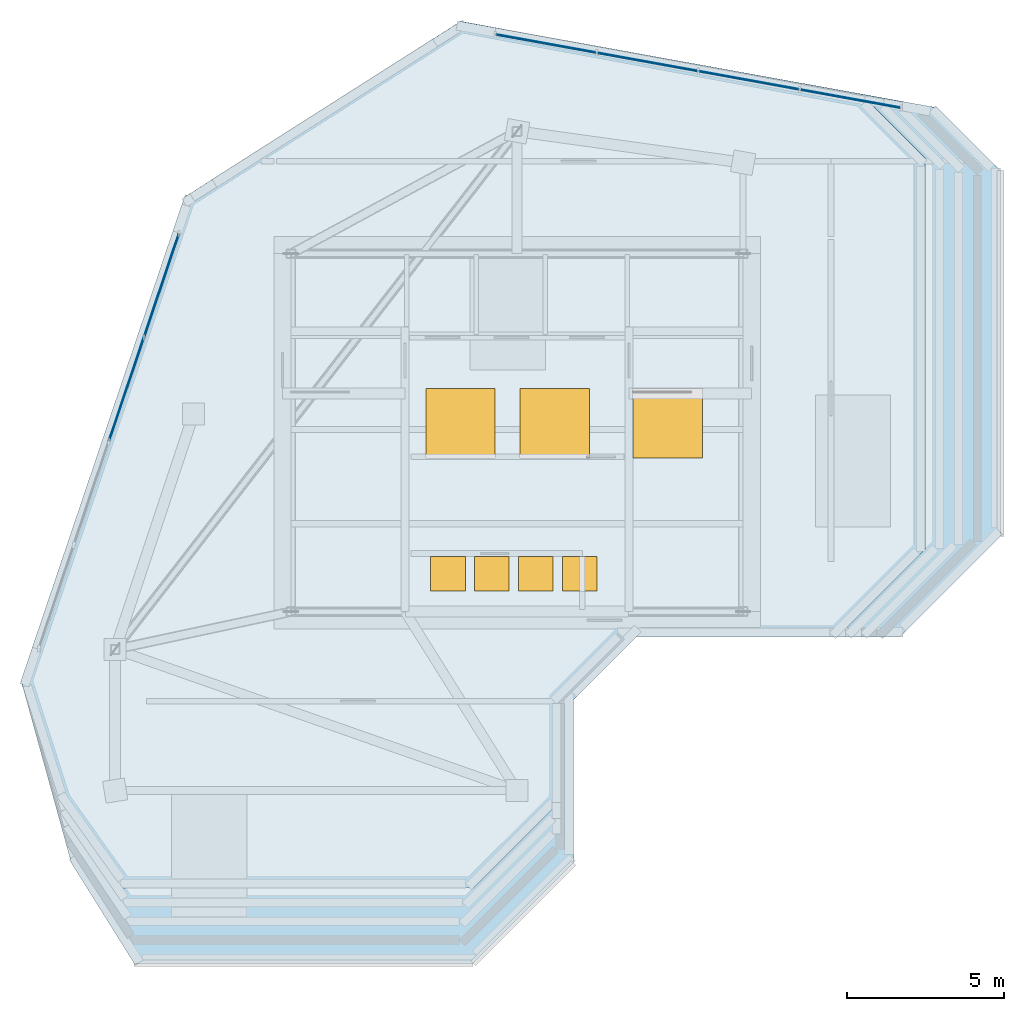
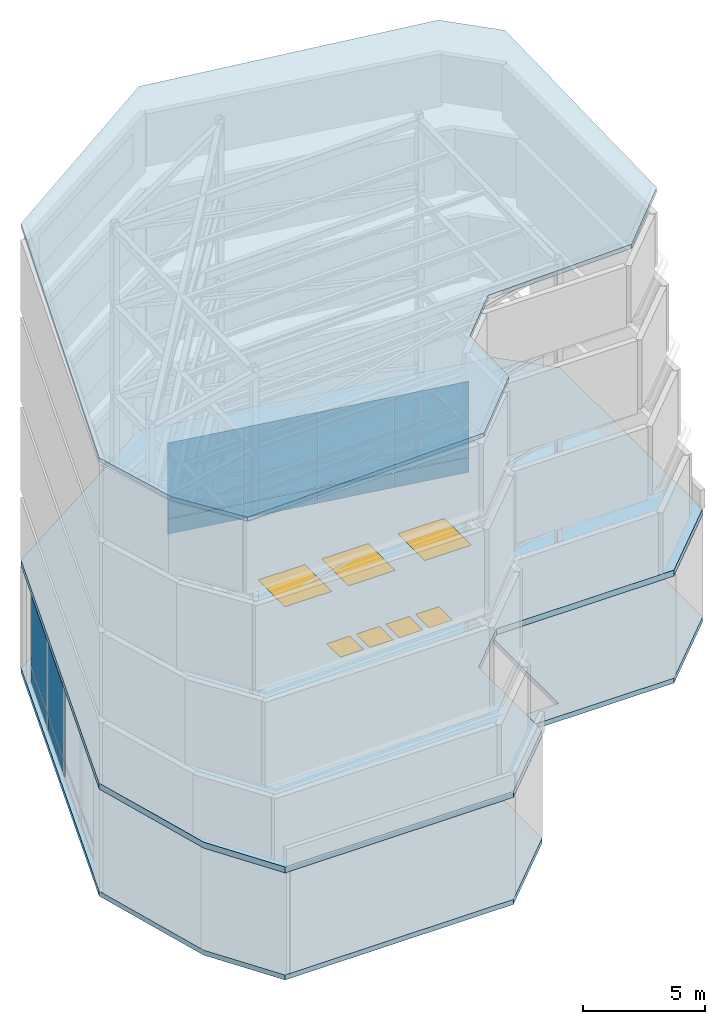
# One storey, part 4 of 9: 12 plates, 4 doors, 3 slabs, 3 windows, 7 openings, 2 elements without a shape of their own.
"""IFC4 building model written with IfcOpenShell, lengths in metres."""

import ifcopenshell
import ifcopenshell.guid

model = None  # the IFC model being written
_history = None  # IfcOwnerHistory: only IFC2X3 demands one
_inside = {}  # id of a spatial element -> (the spatial element, [elements in it])
_under = {}  # id of a project, library or spatial element -> (it, [spatial elements below it])
_declared = {}  # id of a project -> (the project, [libraries it declares])
_typed = {}  # id of a type object -> (the type object, [elements of that type])
_made_of = {}  # id of a material, layer set ... -> (it, [elements and type objects made of it])


def new_model(schema):
    """Start an empty IFC model of exactly this schema.

    Asked for "IFC4X3", IfcOpenShell would pick the latest addendum, in which some entities
    have other attributes; the version numbers below select the first issue.
    IFC2X3 requires an IfcOwnerHistory on every rooted entity: one is made here for all.
    """
    global model, _history
    if schema == "IFC4X3":
        model = ifcopenshell.file(schema_version=(4, 3, 0, 0))
    else:
        model = ifcopenshell.file(schema=schema)
    _inside.clear()
    _under.clear()
    _declared.clear()
    _typed.clear()
    _made_of.clear()
    _history = None
    if model.schema == "IFC2X3":
        org = make("IfcOrganization", Name="unknown")
        user = make(
            "IfcPersonAndOrganization",
            ThePerson=make("IfcPerson", FamilyName="unknown"),
            TheOrganization=org,
        )
        app = make(
            "IfcApplication",
            ApplicationDeveloper=org,
            Version="unknown",
            ApplicationFullName="unknown",
            ApplicationIdentifier="unknown",
        )
        _history = make(
            "IfcOwnerHistory",
            OwningUser=user,
            OwningApplication=app,
            ChangeAction="ADDED",
            CreationDate=0,
        )
    return model


def make(cls, **values):
    """One entity of the class cls with the attributes given. An attribute that is None is left unset."""
    return model.create_entity(
        cls, **{name: value for name, value in values.items() if value is not None}
    )


def rooted(cls, **values):
    """An entity with a GlobalId (a new one), such as an element, a storey or a relation."""
    return make(cls, GlobalId=ifcopenshell.guid.new(), OwnerHistory=_history, **values)


def si_unit(unit_type, name, prefix=None):
    """IfcSIUnit, for example si_unit("LENGTHUNIT", "METRE", prefix="MILLI")."""
    return make("IfcSIUnit", UnitType=unit_type, Prefix=prefix, Name=name)


def assignment(units):
    """IfcUnitAssignment: the units of a project."""
    return None if units is None else make("IfcUnitAssignment", Units=units)


def point(xyz):
    """IfcCartesianPoint."""
    return None if xyz is None else make("IfcCartesianPoint", Coordinates=xyz)


def direction(xyz):
    """IfcDirection."""
    return None if xyz is None else make("IfcDirection", DirectionRatios=xyz)


def frame(location, z_axis=None, x_axis=None):
    """IfcAxis2Placement3D, a coordinate frame: its origin and axes. An axis left out is left unset."""
    return make(
        "IfcAxis2Placement3D",
        Location=point(location),
        Axis=direction(z_axis),
        RefDirection=direction(x_axis),
    )


def frame_2d(location, x_axis=None):
    """IfcAxis2Placement2D, a coordinate frame in the plane: its origin and x axis."""
    return make(
        "IfcAxis2Placement2D", Location=point(location), RefDirection=direction(x_axis)
    )


def origin():
    """The frame at (0, 0, 0) with its axes left unset."""
    return frame((0.0, 0.0, 0.0))


def origin_2d():
    """The frame at (0, 0) in the plane with its x axis left unset."""
    return frame_2d((0.0, 0.0))


def place(relative_to, where):
    """IfcLocalPlacement: puts the frame where relative to a parent placement (None: the world)."""
    return make(
        "IfcLocalPlacement", PlacementRelTo=relative_to, RelativePlacement=where
    )


def context(
    kind, dimensions, precision=None, world=None, true_north=None, identifier=None
):
    """IfcGeometricRepresentationContext, for example the 3D "Model" context."""
    return make(
        "IfcGeometricRepresentationContext",
        ContextIdentifier=identifier,
        ContextType=kind,
        CoordinateSpaceDimension=dimensions,
        Precision=precision,
        WorldCoordinateSystem=world,
        TrueNorth=true_north,
    )


def subcontext(parent, identifier, kind, view, scale=None):
    """IfcGeometricRepresentationSubContext, for example "Body" below "Model"."""
    return make(
        "IfcGeometricRepresentationSubContext",
        ContextIdentifier=identifier,
        ContextType=kind,
        ParentContext=parent,
        TargetScale=scale,
        TargetView=view,
    )


def project(units=None, contexts=None):
    """IfcProject with its units and contexts."""
    return rooted(
        "IfcProject",
        Name="project",
        RepresentationContexts=contexts,
        UnitsInContext=assignment(units),
    )


def spatial(cls, under=None, at=None, **own):
    """A site, building, storey or space (cls), placed at a placement, below another one or the project."""
    s = rooted(cls, ObjectPlacement=at, **own)
    if under is not None:
        _under.setdefault(under.id(), (under, []))[1].append(s)
    return s


def polyline(points):
    """IfcPolyline through the points."""
    return make("IfcPolyline", Points=[point(p) for p in points])


def profile(cls, at=None, kind="AREA", **sizes):
    """A parametric profile (cls). Its sizes go by their IFC names, for example OverallWidth=200.0."""
    return make(cls, ProfileType=kind, Position=at, **sizes)


def rectangle(**sizes):
    """IfcRectangleProfileDef."""
    return profile("IfcRectangleProfileDef", **sizes)


def outline(outer, holes=None, kind="AREA"):
    """IfcArbitraryClosedProfileDef: a profile drawn as a closed curve; with holes, ...WithVoids."""
    if holes is None:
        return make("IfcArbitraryClosedProfileDef", ProfileType=kind, OuterCurve=outer)
    return make(
        "IfcArbitraryProfileDefWithVoids",
        ProfileType=kind,
        OuterCurve=outer,
        InnerCurves=holes,
    )


def extrude(swept, where, along, depth):
    """IfcExtrudedAreaSolid: the profile swept, set in the frame where, extruded along a direction by depth."""
    return make(
        "IfcExtrudedAreaSolid",
        SweptArea=swept,
        Position=where,
        ExtrudedDirection=direction(along),
        Depth=depth,
    )


def shape(context_of_items, identifier, shape_type, items):
    """IfcShapeRepresentation: the items that make up one representation, for example the "Body"."""
    return make(
        "IfcShapeRepresentation",
        ContextOfItems=context_of_items,
        RepresentationIdentifier=identifier,
        RepresentationType=shape_type,
        Items=items,
    )


def material(Name=None, Category=None):
    """IfcMaterial."""
    return make("IfcMaterial", Name=Name, Category=Category)


def layer(
    of_material, thickness, ventilated=None, Name=None, Category=None, Priority=None
):
    """IfcMaterialLayer: one layer of a wall or slab, of a material (None: an air gap)."""
    return make(
        "IfcMaterialLayer",
        Material=of_material,
        LayerThickness=thickness,
        IsVentilated=ventilated,
        Name=Name,
        Category=Category,
        Priority=Priority,
    )


def layer_set(layers, Name=None):
    """IfcMaterialLayerSet."""
    return make("IfcMaterialLayerSet", MaterialLayers=layers, LayerSetName=Name)


def made_of(thing, what):
    """Note that an element or type object is made of a material, layer set ...; save() writes the relation."""
    if what is not None:
        _made_of.setdefault(what.id(), (what, []))[1].append(thing)
    return thing


def type_object(cls, material=None, **own):
    """A type object (cls), such as IfcWallType, which elements share."""
    return made_of(rooted(cls, **own), material)


def element(
    cls,
    number,
    at=None,
    inside=None,
    cuts=None,
    type_object=None,
    material=None,
    context=None,
    identifier="Body",
    shape_type=None,
    held_by="IfcProductDefinitionShape",
    body=None,
    shapes=None,
    **own,
):
    """One element of the class cls, such as IfcWall. Its Tag is "e" and its number.

    at: its placement. inside: the storey or other place that contains it. cuts: it is an
    opening in that element (IfcRelVoidsElement). A single representation is given by context,
    identifier, shape_type and body (its items); several are given by shapes. held_by: the class
    of the entity that holds the representations. save() writes the other relations.
    """
    e = rooted(cls, Tag="e%d" % number, ObjectPlacement=at, **own)
    if body is not None:
        shapes = [shape(context, identifier, shape_type, body)]
    if shapes is not None:
        e.Representation = make(held_by, Representations=shapes)
    if inside is not None:
        _inside.setdefault(inside.id(), (inside, []))[1].append(e)
    if cuts is not None:
        rooted(
            "IfcRelVoidsElement", RelatingBuildingElement=cuts, RelatedOpeningElement=e
        )
    if type_object is not None:
        _typed.setdefault(type_object.id(), (type_object, []))[1].append(e)
    return made_of(e, material)


def fill(opening, filler):
    """IfcRelFillsElement: the door or window that sits in an opening."""
    return rooted(
        "IfcRelFillsElement",
        RelatingOpeningElement=opening,
        RelatedBuildingElement=filler,
    )


def aggregate(whole, parts):
    """IfcRelAggregates: a whole, such as a stair, and the parts it consists of."""
    return rooted("IfcRelAggregates", RelatingObject=whole, RelatedObjects=parts)


def save(model, path):
    """Write the relations noted so far, then the file.

    IfcRelAggregates (storeys below a building ...), IfcRelContainedInSpatialStructure (elements
    in a storey), IfcRelDefinesByType, IfcRelAssociatesMaterial and IfcRelDeclares: one each for
    every whole, place, type object, material and project.
    """
    for whole, parts in _under.values():
        aggregate(whole, parts)
    for where, things in _inside.values():
        rooted(
            "IfcRelContainedInSpatialStructure",
            RelatedElements=things,
            RelatingStructure=where,
        )
    for kind, things in _typed.values():
        rooted("IfcRelDefinesByType", RelatedObjects=things, RelatingType=kind)
    for what, things in _made_of.values():
        rooted("IfcRelAssociatesMaterial", RelatedObjects=things, RelatingMaterial=what)
    for by, libraries in _declared.values():
        rooted("IfcRelDeclares", RelatingContext=by, RelatedDefinitions=libraries)
    model.write(path)


model = new_model("IFC4")

# Units and contexts
model_context = context("Model", 3, precision=1e-05, world=origin(), true_north=direction((0.0, 1.0)))
body_context = subcontext(model_context, "Body", "Model", "MODEL_VIEW")
ifc_project = project(units=[si_unit("LENGTHUNIT", "METRE"), si_unit("AREAUNIT", "SQUARE_METRE"), si_unit("VOLUMEUNIT", "CUBIC_METRE"), si_unit("PLANEANGLEUNIT", "RADIAN"), si_unit("MASSUNIT", "GRAM", prefix="KILO")], contexts=[model_context])

# Site, building, storey
site_placement = place(None, origin())
site = spatial("IfcSite", under=ifc_project, at=site_placement, CompositionType="ELEMENT")
building_placement = place(site_placement, origin())
building = spatial("IfcBuilding", under=site, at=building_placement, Name="Calvemar Wedge Station Tower", CompositionType="ELEMENT")
storey_placement = place(building_placement, frame((0.0, 0.0, 309.5)))
storey = spatial("IfcBuildingStorey", under=building, at=storey_placement, Name="L79", CompositionType="ELEMENT", Elevation=309.5)

# Curtain wall, plates
ifc_material_1 = material(Name="Anodised aluminium 6063-T6", Category="aluminium")
curtain_wall_type = type_object("IfcCurtainWallType", Name="CW4", PredefinedType="NOTDEFINED", material=ifc_material_1)
curtain_wall_1_placement = place(storey_placement, origin())
curtain_wall_1 = element("IfcCurtainWall", 1, at=curtain_wall_1_placement, inside=storey, type_object=curtain_wall_type, Name="Storey L79 CW4 Recessed Unitised Curtain Wall 10", PredefinedType="NOTDEFINED")
ifc_material_2 = material(Name="Low-E laminated insulated glass", Category="glass")
ifc_layer_1 = layer(ifc_material_2, 0.028076171875)
ifc_layer_set_1 = layer_set([ifc_layer_1], Name="Low-E laminated insulated glass")
plate_type_1 = type_object("IfcPlateType", Name="CW4-GLZ", PredefinedType="CURTAIN_PANEL", material=ifc_layer_set_1)
plate_1_placement = place(storey_placement, frame((36.016357421875, 50.248779296875, 0.8701171875), z_axis=(0.0, 0.0, 1.0), x_axis=(-0.983992292969, 0.178211019235, 0.0)))
plate_1 = element("IfcPlate", 2, at=plate_1_placement, type_object=plate_type_1, Name="CW4 vision glass panel 1", PredefinedType="CURTAIN_PANEL", context=body_context, shape_type="SweptSolid", body=[
    extrude(rectangle(XDim=3.24951171875, YDim=0.028076171875, at=frame_2d((1.624755859375, 0.0))), origin(), (0.0, 0.0, 1.0), 3.759765625),
])
plate_2_placement = place(storey_placement, frame((32.783447265625, 50.834228515625, 0.8701171875), z_axis=(0.0, 0.0, 1.0), x_axis=(-0.98400546532, 0.178138272755, 0.0)))
plate_2 = element("IfcPlate", 3, at=plate_2_placement, type_object=plate_type_1, Name="CW4 vision glass panel 2", PredefinedType="CURTAIN_PANEL", context=body_context, shape_type="SweptSolid", body=[
    extrude(rectangle(XDim=3.24951171875, YDim=0.028076171875, at=frame_2d((1.624755859375, 0.0))), origin(), (0.0, 0.0, 1.0), 3.759765625),
])
plate_3_placement = place(storey_placement, frame((29.550537109375, 51.41943359375, 0.8701171875), z_axis=(0.0, 0.0, 1.0), x_axis=(-0.98400308087, 0.178151443551, 0.0)))
plate_3 = element("IfcPlate", 4, at=plate_3_placement, type_object=plate_type_1, Name="CW4 vision glass panel 3", PredefinedType="CURTAIN_PANEL", context=body_context, shape_type="SweptSolid", body=[
    extrude(rectangle(XDim=3.249267578125, YDim=0.028076171875, at=frame_2d((1.62451171875, 0.0))), origin(), (0.0, 0.0, 1.0), 3.759765625),
])
plate_4_placement = place(storey_placement, frame((26.31787109375, 52.0048828125, 0.8701171875), z_axis=(0.0, 0.0, 1.0), x_axis=(-0.98400546532, 0.178138272755, 0.0)))
plate_4 = element("IfcPlate", 5, at=plate_4_placement, type_object=plate_type_1, Name="CW4 vision glass panel 4", PredefinedType="CURTAIN_PANEL", context=body_context, shape_type="SweptSolid", body=[
    extrude(rectangle(XDim=3.24951171875, YDim=0.028076171875, at=frame_2d((1.624755859375, 0.0))), origin(), (0.0, 0.0, 1.0), 3.759765625),
])

curtain_wall_2_placement = place(storey_placement, origin())
curtain_wall_2 = element("IfcCurtainWall", 6, at=curtain_wall_2_placement, inside=storey, type_object=curtain_wall_type, Name="Storey L79 CW4 Recessed Unitised Curtain Wall 12", PredefinedType="NOTDEFINED")
plate_5_placement = place(storey_placement, frame((13.0244140625, 46.223388671875, 0.8701171875), z_axis=(0.0, 0.0, 1.0), x_axis=(-0.319958758675, -0.947431471267, 0.0)))
plate_5 = element("IfcPlate", 7, at=plate_5_placement, type_object=plate_type_1, Name="CW4 vision glass panel 1", PredefinedType="CURTAIN_PANEL", context=body_context, shape_type="SweptSolid", body=[
    extrude(rectangle(XDim=3.45263671875, YDim=0.028076171875, at=frame_2d((1.726318359375, 0.0))), origin(), (0.0, 0.0, 1.0), 3.759765625),
])
plate_6_placement = place(storey_placement, frame((11.908203125, 42.91796875, 0.8701171875), z_axis=(0.0, 0.0, 1.0), x_axis=(-0.319873856096, -0.947460139629, 0.0)))
plate_6 = element("IfcPlate", 8, at=plate_6_placement, type_object=plate_type_1, Name="CW4 vision glass panel 2", PredefinedType="CURTAIN_PANEL", context=body_context, shape_type="SweptSolid", body=[
    extrude(rectangle(XDim=3.452880859375, YDim=0.028076171875, at=frame_2d((1.7265625, 0.0))), origin(), (0.0, 0.0, 1.0), 3.759765625),
])

# Plate
ifc_material_3 = material(Name="Oxidized bronze aluminium spandrel panel 5005-H24", Category="aluminium")
ifc_layer_2 = layer(ifc_material_3, 0.0400390625)
ifc_layer_set_2 = layer_set([ifc_layer_2], Name="Oxidized bronze aluminium spandrel panel 5005-H24")
plate_type_2 = type_object("IfcPlateType", Name="CW4-SPD", PredefinedType="SHEET", material=ifc_layer_set_2)
plate_7_placement = place(storey_placement, frame((36.016357421875, 50.248779296875, 0.080078125), z_axis=(0.0, 0.0, 1.0), x_axis=(-0.983992292969, 0.178211019235, 0.0)))
plate_7 = element("IfcPlate", 9, at=plate_7_placement, type_object=plate_type_2, Name="CW4 bronze spandrel panel 1", PredefinedType="SHEET", context=body_context, shape_type="SweptSolid", body=[
    extrude(rectangle(XDim=3.24951171875, YDim=0.0400390625, at=frame_2d((1.624755859375, 0.0))), origin(), (0.0, 0.0, 1.0), 0.75),
])

plate_8_placement = place(storey_placement, frame((32.783447265625, 50.834228515625, 0.080078125), z_axis=(0.0, 0.0, 1.0), x_axis=(-0.98400546532, 0.178138272755, 0.0)))
plate_8 = element("IfcPlate", 10, at=plate_8_placement, type_object=plate_type_2, Name="CW4 bronze spandrel panel 2", PredefinedType="SHEET", context=body_context, shape_type="SweptSolid", body=[
    extrude(rectangle(XDim=3.24951171875, YDim=0.0400390625, at=frame_2d((1.624755859375, 0.0))), origin(), (0.0, 0.0, 1.0), 0.75),
])

plate_9_placement = place(storey_placement, frame((29.550537109375, 51.41943359375, 0.080078125), z_axis=(0.0, 0.0, 1.0), x_axis=(-0.98400308087, 0.178151443551, 0.0)))
plate_9 = element("IfcPlate", 11, at=plate_9_placement, type_object=plate_type_2, Name="CW4 bronze spandrel panel 3", PredefinedType="SHEET", context=body_context, shape_type="SweptSolid", body=[
    extrude(rectangle(XDim=3.249267578125, YDim=0.0400390625, at=frame_2d((1.62451171875, 0.0))), origin(), (0.0, 0.0, 1.0), 0.75),
])

plate_10_placement = place(storey_placement, frame((26.31787109375, 52.0048828125, 0.080078125), z_axis=(0.0, 0.0, 1.0), x_axis=(-0.98400546532, 0.178138272755, 0.0)))
plate_10 = element("IfcPlate", 12, at=plate_10_placement, type_object=plate_type_2, Name="CW4 bronze spandrel panel 4", PredefinedType="SHEET", context=body_context, shape_type="SweptSolid", body=[
    extrude(rectangle(XDim=3.24951171875, YDim=0.0400390625, at=frame_2d((1.624755859375, 0.0))), origin(), (0.0, 0.0, 1.0), 0.75),
])

aggregate(curtain_wall_1, [plate_7, plate_1, plate_8, plate_2, plate_9, plate_3, plate_10, plate_4])

plate_11_placement = place(storey_placement, frame((13.0244140625, 46.223388671875, 0.080078125), z_axis=(0.0, 0.0, 1.0), x_axis=(-0.319958758675, -0.947431471267, 0.0)))
plate_11 = element("IfcPlate", 13, at=plate_11_placement, type_object=plate_type_2, Name="CW4 bronze spandrel panel 1", PredefinedType="SHEET", context=body_context, shape_type="SweptSolid", body=[
    extrude(rectangle(XDim=3.45263671875, YDim=0.0400390625, at=frame_2d((1.726318359375, 0.0))), origin(), (0.0, 0.0, 1.0), 0.75),
])

plate_12_placement = place(storey_placement, frame((11.908203125, 42.91796875, 0.080078125), z_axis=(0.0, 0.0, 1.0), x_axis=(-0.319873856096, -0.947460139629, 0.0)))
plate_12 = element("IfcPlate", 14, at=plate_12_placement, type_object=plate_type_2, Name="CW4 bronze spandrel panel 2", PredefinedType="SHEET", context=body_context, shape_type="SweptSolid", body=[
    extrude(rectangle(XDim=3.452880859375, YDim=0.0400390625, at=frame_2d((1.7265625, 0.0))), origin(), (0.0, 0.0, 1.0), 0.75),
])

aggregate(curtain_wall_2, [plate_11, plate_5, plate_12, plate_6])

# Slab, openings, doors, windows
ifc_material_4 = material(Name="Concrete C50", Category="concrete")
ifc_layer_3 = layer(ifc_material_4, 0.300048828125)
ifc_layer_set_3 = layer_set([ifc_layer_3], Name="Concrete C50")
slab_type_1 = type_object("IfcSlabType", Name="SL-REF-300", PredefinedType="FLOOR", material=ifc_layer_set_3)
slab_1_placement = place(storey_placement, frame((0.0, 0.0, 5.10009765625)))
slab_1 = element("IfcSlab", 15, at=slab_1_placement, inside=storey, type_object=slab_type_1, Name="L79 Crown Maintenance and Skylight Structural Deck", PredefinedType="FLOOR", context=body_context, shape_type="SweptSolid", body=[
    extrude(outline(polyline([(8.0, 32.0), (9.60009765625, 26.199951171875), (11.60009765625, 23.0), (22.39990234375, 23.0), (25.60009765625, 26.199951171875), (25.60009765625, 31.39990234375), (27.60009765625, 33.39990234375), (36.0, 33.39990234375), (39.199951171875, 36.60009765625), (39.199951171875, 48.248046875), (37.199951171875, 50.248046875), (22.0, 53.0), (13.199951171875, 47.39990234375), (8.0, 32.0)])), origin(), (0.0, 0.0, 1.0), 0.2998046875),
])
opening_1_placement = place(slab_1_placement, frame((21.60009765625, 35.39990234375, 0.0)))
opening_1 = element("IfcOpeningElement", 16, at=opening_1_placement, cuts=slab_1, Name="Opening RH1", PredefinedType="OPENING", context=body_context, shape_type="SweptSolid", body=[
    extrude(rectangle(XDim=1.10009765625, YDim=1.10009765625, at=origin_2d()), origin(), (0.0, 0.0, 1.0), 0.2998046875),
])
opening_2_placement = place(slab_1_placement, frame((23.0, 35.39990234375, 0.0)))
opening_2 = element("IfcOpeningElement", 17, at=opening_2_placement, cuts=slab_1, Name="Opening RH1", PredefinedType="OPENING", context=body_context, shape_type="SweptSolid", body=[
    extrude(rectangle(XDim=1.10009765625, YDim=1.10009765625, at=origin_2d()), origin(), (0.0, 0.0, 1.0), 0.2998046875),
])
opening_3_placement = place(slab_1_placement, frame((24.39990234375, 35.39990234375, 0.0)))
opening_3 = element("IfcOpeningElement", 18, at=opening_3_placement, cuts=slab_1, Name="Opening RH1", PredefinedType="OPENING", context=body_context, shape_type="SweptSolid", body=[
    extrude(rectangle(XDim=1.10009765625, YDim=1.10009765625, at=origin_2d()), origin(), (0.0, 0.0, 1.0), 0.2998046875),
])
opening_4_placement = place(slab_1_placement, frame((25.800048828125, 35.39990234375, 0.0)))
opening_4 = element("IfcOpeningElement", 19, at=opening_4_placement, cuts=slab_1, Name="Opening RH1", PredefinedType="OPENING", context=body_context, shape_type="SweptSolid", body=[
    extrude(rectangle(XDim=1.10009765625, YDim=1.10009765625, at=origin_2d()), origin(), (0.0, 0.0, 1.0), 0.2998046875),
])
opening_5_placement = place(slab_1_placement, frame((22.0, 40.199951171875, 0.0)))
opening_5 = element("IfcOpeningElement", 20, at=opening_5_placement, cuts=slab_1, Name="Opening SK1", PredefinedType="OPENING", context=body_context, shape_type="SweptSolid", body=[
    extrude(rectangle(XDim=2.199951171875, YDim=2.199951171875, at=origin_2d()), origin(), (0.0, 0.0, 1.0), 0.2998046875),
])
opening_6_placement = place(slab_1_placement, frame((25.0, 40.199951171875, 0.0)))
opening_6 = element("IfcOpeningElement", 21, at=opening_6_placement, cuts=slab_1, Name="Opening SK1", PredefinedType="OPENING", context=body_context, shape_type="SweptSolid", body=[
    extrude(rectangle(XDim=2.199951171875, YDim=2.199951171875, at=origin_2d()), origin(), (0.0, 0.0, 1.0), 0.2998046875),
])
opening_7_placement = place(slab_1_placement, frame((28.60009765625, 40.199951171875, 0.0)))
opening_7 = element("IfcOpeningElement", 22, at=opening_7_placement, cuts=slab_1, Name="Opening SK2", PredefinedType="OPENING", context=body_context, shape_type="SweptSolid", body=[
    extrude(rectangle(XDim=2.199951171875, YDim=2.199951171875, at=origin_2d()), origin(), (0.0, 0.0, 1.0), 0.2998046875),
])
door_type = type_object("IfcDoorType", Name="DR-ROOF-HATCH", OperationType="SINGLE_SWING_LEFT", PredefinedType="TRAPDOOR", material=ifc_material_1)
door_1_placement = place(opening_1_placement, frame((0.0, 0.0, 0.249755859375)))
door_1 = element("IfcDoor", 23, at=door_1_placement, inside=storey, type_object=door_type, Name="Crown Zone 1 Maintenance Roof Hatch", OperationType="SINGLE_SWING_LEFT", OverallHeight=1.10009765625, OverallWidth=1.10009765625, PredefinedType="TRAPDOOR", context=body_context, shape_type="SweptSolid", body=[
    extrude(rectangle(XDim=1.10009765625, YDim=1.10009765625, at=origin_2d()), origin(), (0.0, 0.0, 1.0), 0.050048828125),
])
fill(opening_1, door_1)
door_2_placement = place(opening_2_placement, frame((0.0, 0.0, 0.249755859375)))
door_2 = element("IfcDoor", 24, at=door_2_placement, inside=storey, type_object=door_type, Name="Crown Zone 2 Maintenance Roof Hatch", OperationType="SINGLE_SWING_LEFT", OverallHeight=1.10009765625, OverallWidth=1.10009765625, PredefinedType="TRAPDOOR", context=body_context, shape_type="SweptSolid", body=[
    extrude(rectangle(XDim=1.10009765625, YDim=1.10009765625, at=origin_2d()), origin(), (0.0, 0.0, 1.0), 0.050048828125),
])
fill(opening_2, door_2)
door_3_placement = place(opening_3_placement, frame((0.0, 0.0, 0.249755859375)))
door_3 = element("IfcDoor", 25, at=door_3_placement, inside=storey, type_object=door_type, Name="Crown Zone 3 Maintenance Roof Hatch", OperationType="SINGLE_SWING_LEFT", OverallHeight=1.10009765625, OverallWidth=1.10009765625, PredefinedType="TRAPDOOR", context=body_context, shape_type="SweptSolid", body=[
    extrude(rectangle(XDim=1.10009765625, YDim=1.10009765625, at=origin_2d()), origin(), (0.0, 0.0, 1.0), 0.050048828125),
])
fill(opening_3, door_3)
door_4_placement = place(opening_4_placement, frame((0.0, 0.0, 0.249755859375)))
door_4 = element("IfcDoor", 26, at=door_4_placement, inside=storey, type_object=door_type, Name="Crown Zone 4 Maintenance Roof Hatch", OperationType="SINGLE_SWING_LEFT", OverallHeight=1.10009765625, OverallWidth=1.10009765625, PredefinedType="TRAPDOOR", context=body_context, shape_type="SweptSolid", body=[
    extrude(rectangle(XDim=1.10009765625, YDim=1.10009765625, at=origin_2d()), origin(), (0.0, 0.0, 1.0), 0.050048828125),
])
fill(opening_4, door_4)
window_type_1 = type_object("IfcWindowType", Name="WIN-SKY-1", PartitioningType="SINGLE_PANEL", PredefinedType="SKYLIGHT", material=ifc_material_2)
window_1_placement = place(opening_5_placement, frame((0.0, 0.0, 0.249755859375)))
window_1 = element("IfcWindow", 27, at=window_1_placement, inside=storey, type_object=window_type_1, Name="Crown Deck Maintenance Skylight 1", OverallHeight=2.199951171875, OverallWidth=2.199951171875, PartitioningType="SINGLE_PANEL", PredefinedType="SKYLIGHT", context=body_context, shape_type="SweptSolid", body=[
    extrude(rectangle(XDim=2.199951171875, YDim=2.199951171875, at=origin_2d()), origin(), (0.0, 0.0, 1.0), 0.050048828125),
])
fill(opening_5, window_1)
window_2_placement = place(opening_6_placement, frame((0.0, 0.0, 0.249755859375)))
window_2 = element("IfcWindow", 28, at=window_2_placement, inside=storey, type_object=window_type_1, Name="Crown Deck Maintenance Skylight 2", OverallHeight=2.199951171875, OverallWidth=2.199951171875, PartitioningType="SINGLE_PANEL", PredefinedType="SKYLIGHT", context=body_context, shape_type="SweptSolid", body=[
    extrude(rectangle(XDim=2.199951171875, YDim=2.199951171875, at=origin_2d()), origin(), (0.0, 0.0, 1.0), 0.050048828125),
])
fill(opening_6, window_2)
window_type_2 = type_object("IfcWindowType", Name="WIN-SKY-2", PartitioningType="SINGLE_PANEL", PredefinedType="LIGHTDOME", material=ifc_material_2)
window_3_placement = place(opening_7_placement, frame((0.0, 0.0, 0.249755859375)))
window_3 = element("IfcWindow", 29, at=window_3_placement, inside=storey, type_object=window_type_2, Name="Crown Deck Maintenance Skylight 3", OverallHeight=2.199951171875, OverallWidth=2.199951171875, PartitioningType="SINGLE_PANEL", PredefinedType="LIGHTDOME", context=body_context, shape_type="SweptSolid", body=[
    extrude(rectangle(XDim=2.199951171875, YDim=2.199951171875, at=origin_2d()), origin(), (0.0, 0.0, 1.0), 0.050048828125),
])
fill(opening_7, window_3)

# Slabs
ifc_material_5 = material(Name="Concrete C45", Category="concrete")
ifc_layer_4 = layer(ifc_material_5, 0.219970703125)
ifc_layer_set_4 = layer_set([ifc_layer_4], Name="Concrete C45")
slab_type_2 = type_object("IfcSlabType", Name="SL-ROOF-220", PredefinedType="ROOF", material=ifc_layer_set_4)
slab_2_placement = place(storey_placement, frame((8.0, 32.0, 21.670166015625), z_axis=(-0.02660679739, -0.026609592011, 0.999291753166), x_axis=(0.304741217822, -0.952279077853, -0.017243782758)))
element("IfcSlab", 30, at=slab_2_placement, inside=storey, type_object=slab_type_2, Name="Stepped Crown Tier 4 Sloped Wedge Roof Slab", PredefinedType="ROOF", context=body_context, shape_type="SweptSolid", body=[
    extrude(outline(polyline([(0.0, 0.0), (3.9904791502663763, -3.3436794999452957e-16), (7.266755763887865, 1.0520152725436325), (10.669796054962363, 11.709700869747008), (8.854090384996884, 15.231907373166617), (5.80537036610412, 16.20776354110585), (4.508459126197644, 18.723583851940198), (6.577590535667482, 25.203720844130963), (4.761884865702001, 28.725927347550574), (-7.082680020003818, 32.51719481582514), (-9.596720611353758, 31.2212010253255), (-15.747557013767766, 19.74546308310774), (-13.089825013251916, 9.651627318442733), (0.0, 0.0)])), origin(), (0.0, 0.0, -1.0), 0.219970703125),
])
ifc_layer_5 = layer(ifc_material_4, 0.25)
ifc_layer_set_5 = layer_set([ifc_layer_5], Name="Concrete C50")
slab_type_3 = type_object("IfcSlabType", Name="SL-TYP-250", PredefinedType="FLOOR", material=ifc_layer_set_5)
slab_3_placement = place(storey_placement, frame((0.0, 0.0, -0.25)))
element("IfcSlab", 31, at=slab_3_placement, inside=storey, type_object=slab_type_3, Name="Storey L79 Structural Floor Slab", PredefinedType="FLOOR", context=body_context, shape_type="SweptSolid", body=[
    extrude(outline(polyline([(8.0, 32.0), (9.60009765625, 26.199951171875), (11.60009765625, 23.0), (22.39990234375, 23.0), (25.60009765625, 26.199951171875), (25.60009765625, 31.39990234375), (27.60009765625, 33.39990234375), (36.0, 33.39990234375), (39.199951171875, 36.60009765625), (39.199951171875, 48.248046875), (37.199951171875, 50.248046875), (22.0, 53.0), (13.199951171875, 47.39990234375), (8.0, 32.0)]), holes=[polyline([(20.10009765625, 41.14990234375), (16.60009765625, 41.14990234375), (16.60009765625, 34.199951171875), (20.10009765625, 34.199951171875), (20.10009765625, 41.14990234375)]), polyline([(31.0, 34.199951171875), (31.0, 41.14990234375), (27.5, 41.14990234375), (27.5, 34.199951171875), (31.0, 34.199951171875)]), polyline([(27.219970703125, 45.580078125), (20.3798828125, 45.580078125), (20.3798828125, 43.0), (27.219970703125, 43.0), (27.219970703125, 45.580078125)])]), origin(), (0.0, 0.0, 1.0), 0.25),
])

save(model, "model.ifc")
